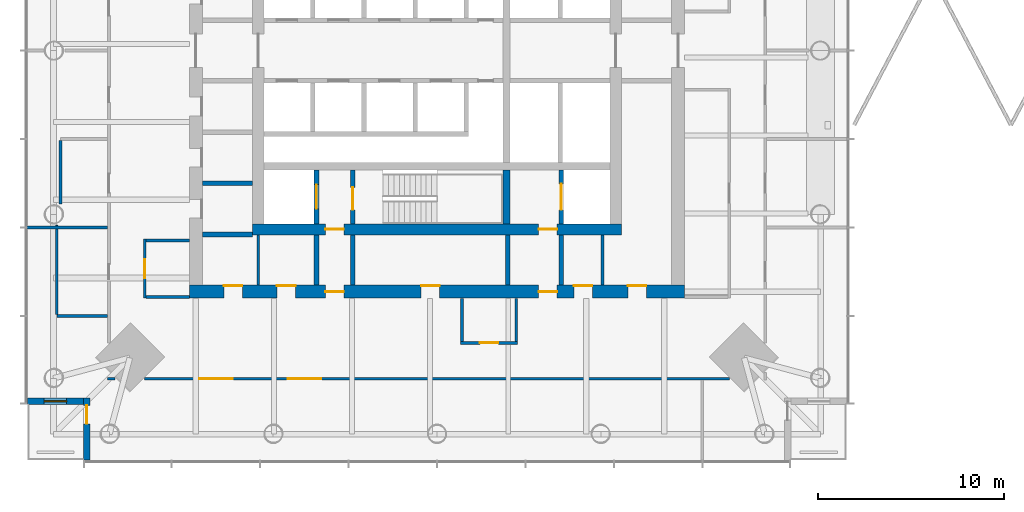
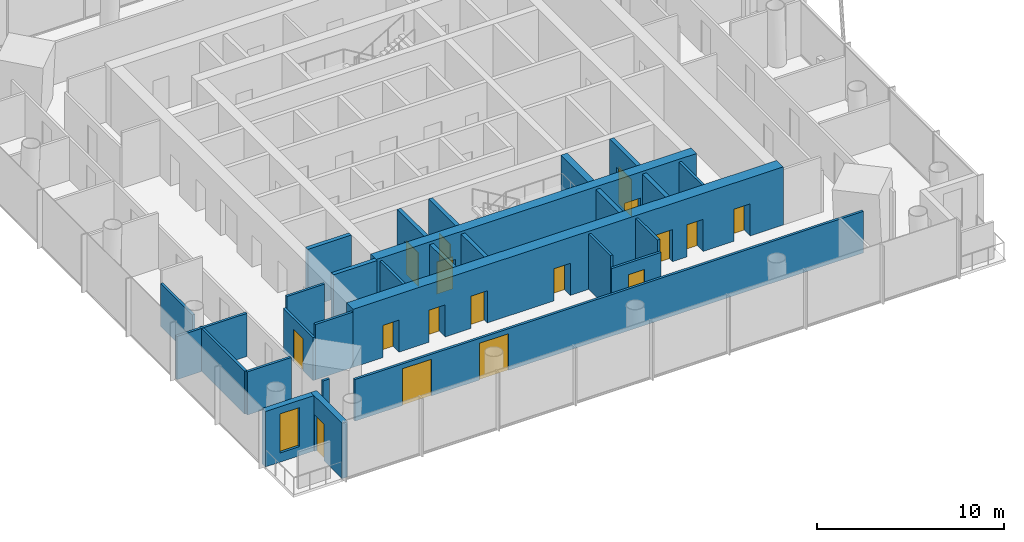
# One storey, part 9 of 19: 28 walls, 17 doors, 1 window, 18 openings.
"""IFC4 building model written with IfcOpenShell, lengths in metres."""

from ifc_helpers import new_model, si_unit, direction, frame, frame_2d, origin, place, context, subcontext, project, spatial, rectangle, extrude, material, layer, layer_set, type_object, element, fill, save


model = new_model("IFC4")

# Units and contexts
model_context = context("Model", 3, precision=1e-05, world=origin(), true_north=direction((0.0, 1.0)))
body_context = subcontext(model_context, "Body", "Model", "MODEL_VIEW")
ifc_project = project(units=[si_unit("LENGTHUNIT", "METRE"), si_unit("AREAUNIT", "SQUARE_METRE"), si_unit("VOLUMEUNIT", "CUBIC_METRE"), si_unit("PLANEANGLEUNIT", "RADIAN"), si_unit("MASSUNIT", "GRAM", prefix="KILO")], contexts=[model_context])

# Site, building, storey
site_placement = place(None, origin())
site = spatial("IfcSite", under=ifc_project, at=site_placement, CompositionType="ELEMENT")
building_placement = place(site_placement, origin())
building = spatial("IfcBuilding", under=site, at=building_placement, Name="Ostroluk Exchange", CompositionType="ELEMENT")
storey_placement = place(building_placement, frame((0.0, 0.0, 127.39990234375)))
storey = spatial("IfcBuildingStorey", under=building, at=storey_placement, Name="L32", CompositionType="ELEMENT", Elevation=127.39990234375)

# Walls
ifc_material_1 = material(Name="Concrete blockwork", Category="masonry")
ifc_layer_1 = layer(ifc_material_1, 0.14990234375)
ifc_layer_set_1 = layer_set([ifc_layer_1], Name="Blockwork plant room wall 150")
wall_type_1 = type_object("IfcWallType", Name="Blockwork plant room wall 150", PredefinedType="SOLIDWALL", material=ifc_layer_set_1)
for number, where, z_axis, x_axis, name in (
    (1, (35.39990234375, 33.39990234375, 0.0), (0.0, 0.0, 1.0), (0.0, 1.0, 0.0), "Core room wall"),
    (2, (53.887939453125, 33.39990234375, 0.0), (0.0, 0.0, 1.0), (0.0, 1.0, 0.0), "Core room wall"),
):
    element("IfcWall", number, at=place(storey_placement, frame(where, z_axis=z_axis, x_axis=x_axis)), inside=storey, type_object=wall_type_1, Name=name, PredefinedType="SOLIDWALL", context=body_context, shape_type="SweptSolid", body=[
        extrude(rectangle(XDim=2.7001953125, YDim=0.14990234375, at=frame_2d((1.35009765625, 0.0))), origin(), (0.0, 0.0, 1.0), 3.6201171875),
    ])
ifc_material_2 = material(Name="Concrete blockwork", Category="masonry")
ifc_layer_2 = layer(ifc_material_2, 0.25)
ifc_layer_set_2 = layer_set([ifc_layer_2], Name="Blockwork stair enclosure wall 250")
wall_type_2 = type_object("IfcWallType", Name="Blockwork stair enclosure wall 250", PredefinedType="SOLIDWALL", material=ifc_layer_set_2)
for number, where, z_axis, x_axis, name in (
    (3, (38.52490234375, 33.39990234375, 0.0), (0.0, 0.0, 1.0), (0.0, 1.0, 0.0), "Fire lobby enclosure wall"),
    (4, (40.47509765625, 33.39990234375, 0.0), (0.0, 0.0, 1.0), (0.0, 1.0, 0.0), "Fire lobby enclosure wall"),
    (5, (48.804931640625, 33.39990234375, 0.0), (0.0, 0.0, 1.0), (0.0, 1.0, 0.0), "Service lobby enclosure wall"),
    (6, (51.675048828125, 33.39990234375, 0.0), (0.0, 0.0, 1.0), (0.0, 1.0, 0.0), "Service lobby enclosure wall"),
):
    element("IfcWall", number, at=place(storey_placement, frame(where, z_axis=z_axis, x_axis=x_axis)), inside=storey, type_object=wall_type_2, Name=name, PredefinedType="SOLIDWALL", context=body_context, shape_type="SweptSolid", body=[
        extrude(rectangle(XDim=2.7001953125, YDim=0.25, at=frame_2d((1.35009765625, 0.0))), origin(), (0.0, 0.0, 1.0), 3.6201171875),
    ])
ifc_material_3 = material(Name="Concrete C50/60", Category="concrete")
ifc_layer_3 = layer(ifc_material_3, 0.39990234375)
ifc_layer_set_3 = layer_set([ifc_layer_3], Name="Core cross wall 400 C50/60")
wall_type_3 = type_object("IfcWallType", Name="Core cross wall 400 C50/60", PredefinedType="SHEAR", material=ifc_layer_set_3)
wall_1_placement = place(storey_placement, frame((48.72998046875, 36.699951171875, 0.0), z_axis=(0.0, 0.0, 1.0), x_axis=(0.0, 1.0, 0.0)))
element("IfcWall", 7, at=wall_1_placement, inside=storey, type_object=wall_type_3, Name="T1 core wall YE1", PredefinedType="SHEAR", context=body_context, shape_type="SweptSolid", body=[
    extrude(rectangle(XDim=2.900146484375, YDim=0.39990234375, at=frame_2d((1.4501953125, 0.0))), origin(), (0.0, 0.0, 1.0), 3.800048828125),
])

# Wall, opening, door
ifc_material_4 = material(Name="Concrete C40/50", Category="concrete")
ifc_layer_4 = layer(ifc_material_4, 0.25)
ifc_layer_set_4 = layer_set([ifc_layer_4], Name="Core shaft wall 250")
wall_type_4 = type_object("IfcWallType", Name="Core shaft wall 250", PredefinedType="SHEAR", material=ifc_layer_set_4)
wall_2_placement = place(storey_placement, frame((38.52490234375, 36.699951171875, 0.0), z_axis=(0.0, 0.0, 1.0), x_axis=(0.0, 1.0, 0.0)))
wall_2 = element("IfcWall", 8, at=wall_2_placement, inside=storey, type_object=wall_type_4, Name="Firefighting lift shaft wall", PredefinedType="SHEAR", context=body_context, shape_type="SweptSolid", body=[
    extrude(rectangle(XDim=2.900146484375, YDim=0.25, at=frame_2d((1.4501953125, 0.0))), origin(), (0.0, 0.0, 1.0), 3.800048828125),
])
opening_1_placement = place(wall_2_placement, frame((0.800048828125, 0.0, 0.0)))
opening_1 = element("IfcOpeningElement", 9, at=opening_1_placement, cuts=wall_2, Name="Opening LD2", PredefinedType="OPENING", context=body_context, shape_type="SweptSolid", body=[
    extrude(rectangle(XDim=1.300048828125, YDim=2.199951171875, at=frame_2d((0.64990234375, 1.10009765625))), frame((0.0, 0.135009765625, 0.0), z_axis=(0.0, -1.0, 0.0), x_axis=(1.0, 0.0, 0.0)), (0.0, 0.0, 1.0), 0.27001953125),
])
ifc_material_5 = material(Name="Stainless steel", Category="steel")
door_type_1 = type_object("IfcDoorType", Name="Lift landing door E 60 1300 x 2200", OperationType="DOUBLE_DOOR_SLIDING", PredefinedType="DOOR", material=ifc_material_5)
door_1_placement = place(opening_1_placement, origin())
door_1 = element("IfcDoor", 10, at=door_1_placement, inside=storey, type_object=door_type_1, Name="Lift FL1 landing door", OperationType="DOUBLE_DOOR_SLIDING", OverallHeight=2.199951171875, OverallWidth=1.300048828125, PredefinedType="DOOR", context=body_context, shape_type="SweptSolid", body=[
    extrude(rectangle(XDim=1.300048828125, YDim=2.199951171875, at=frame_2d((0.64990234375, 1.10009765625))), frame((0.0, 0.02490234375, 0.0), z_axis=(0.0, -1.0, 0.0), x_axis=(1.0, 0.0, 0.0)), (0.0, 0.0, 1.0), 0.050048828125),
])
fill(opening_1, door_1)

wall_3_placement = place(storey_placement, frame((40.47509765625, 36.699951171875, 0.0), z_axis=(0.0, 0.0, 1.0), x_axis=(0.0, 1.0, 0.0)))
wall_3 = element("IfcWall", 11, at=wall_3_placement, inside=storey, type_object=wall_type_4, Name="Stair shaft wall", PredefinedType="SHEAR", context=body_context, shape_type="SweptSolid", body=[
    extrude(rectangle(XDim=2.900146484375, YDim=0.25, at=frame_2d((1.4501953125, 0.0))), origin(), (0.0, 0.0, 1.0), 3.800048828125),
])
opening_2_placement = place(wall_3_placement, frame((0.75, 0.0, 0.0)))
opening_2 = element("IfcOpeningElement", 12, at=opening_2_placement, cuts=wall_3, Name="Opening FD60S", PredefinedType="OPENING", context=body_context, shape_type="SweptSolid", body=[
    extrude(rectangle(XDim=1.199951171875, YDim=2.10009765625, at=frame_2d((0.60009765625, 1.050048828125))), frame((0.0, 0.135009765625, 0.0), z_axis=(0.0, -1.0, 0.0), x_axis=(1.0, 0.0, 0.0)), (0.0, 0.0, 1.0), 0.27001953125),
])
ifc_material_6 = material(Name="Steel", Category="steel")
door_type_2 = type_object("IfcDoorType", Name="Stair door EI 60 1200 x 2100", OperationType="SINGLE_SWING_LEFT", PredefinedType="DOOR", material=ifc_material_6)
door_2_placement = place(opening_2_placement, origin())
door_2 = element("IfcDoor", 13, at=door_2_placement, inside=storey, type_object=door_type_2, Name="Stair T1-S1 door", OperationType="SINGLE_SWING_LEFT", OverallHeight=2.10009765625, OverallWidth=1.199951171875, PredefinedType="DOOR", context=body_context, shape_type="SweptSolid", body=[
    extrude(rectangle(XDim=1.199951171875, YDim=2.10009765625, at=frame_2d((0.60009765625, 1.050048828125))), frame((0.0, 0.02490234375, 0.0), z_axis=(0.0, -1.0, 0.0), x_axis=(1.0, 0.0, 0.0)), (0.0, 0.0, 1.0), 0.050048828125),
])
fill(opening_2, door_2)

wall_4_placement = place(storey_placement, frame((51.675048828125, 36.699951171875, 0.0), z_axis=(0.0, 0.0, 1.0), x_axis=(0.0, 1.0, 0.0)))
wall_4 = element("IfcWall", 14, at=wall_4_placement, inside=storey, type_object=wall_type_4, Name="Service lift shaft wall", PredefinedType="SHEAR", context=body_context, shape_type="SweptSolid", body=[
    extrude(rectangle(XDim=2.900146484375, YDim=0.25, at=frame_2d((1.4501953125, 0.0))), origin(), (0.0, 0.0, 1.0), 3.800048828125),
])
opening_3_placement = place(wall_4_placement, frame((0.75, 0.0, 0.0)))
opening_3 = element("IfcOpeningElement", 15, at=opening_3_placement, cuts=wall_4, Name="Opening LD3", PredefinedType="OPENING", context=body_context, shape_type="SweptSolid", body=[
    extrude(rectangle(XDim=1.39990234375, YDim=2.39990234375, at=frame_2d((0.699951171875, 1.199951171875))), frame((0.0, 0.135009765625, 0.0), z_axis=(0.0, -1.0, 0.0), x_axis=(1.0, 0.0, 0.0)), (0.0, 0.0, 1.0), 0.27001953125),
])
ifc_material_7 = material(Name="Stainless steel", Category="steel")
door_type_3 = type_object("IfcDoorType", Name="Goods lift landing door E 60 1400 x 2400", OperationType="DOUBLE_DOOR_SLIDING", PredefinedType="DOOR", material=ifc_material_7)
door_3_placement = place(opening_3_placement, origin())
door_3 = element("IfcDoor", 16, at=door_3_placement, inside=storey, type_object=door_type_3, Name="Lift SL1 landing door", OperationType="DOUBLE_DOOR_SLIDING", OverallHeight=2.39990234375, OverallWidth=1.39990234375, PredefinedType="DOOR", context=body_context, shape_type="SweptSolid", body=[
    extrude(rectangle(XDim=1.39990234375, YDim=2.39990234375, at=frame_2d((0.699951171875, 1.199951171875))), frame((0.0, 0.02490234375, 0.0), z_axis=(0.0, -1.0, 0.0), x_axis=(1.0, 0.0, 0.0)), (0.0, 0.0, 1.0), 0.050048828125),
])
fill(opening_3, door_3)

# Walls
for number, where, z_axis, x_axis, name in (
    (17, (32.39990234375, 36.125, 0.0), (0.0, 0.0, 1.0), (1.0, 0.0, 0.0), "Lift shaft wall"),
    (18, (32.39990234375, 38.875, 0.0), (0.0, 0.0, 1.0), (1.0, 0.0, 0.0), "Lift shaft wall"),
):
    element("IfcWall", number, at=place(storey_placement, frame(where, z_axis=z_axis, x_axis=x_axis)), inside=storey, type_object=wall_type_4, Name=name, PredefinedType="SHEAR", context=body_context, shape_type="SweptSolid", body=[
        extrude(rectangle(XDim=2.7001953125, YDim=0.25, at=frame_2d((1.35009765625, 0.0))), origin(), (0.0, 0.0, 1.0), 3.800048828125),
    ])

# Wall, openings, doors
ifc_material_8 = material(Name="Concrete C50/60", Category="concrete")
ifc_layer_5 = layer(ifc_material_8, 0.60009765625)
ifc_layer_set_5 = layer_set([ifc_layer_5], Name="Core wall 600 C50/60")
wall_type_5 = type_object("IfcWallType", Name="Core wall 600 C50/60", PredefinedType="SHEAR", material=ifc_layer_set_5)
wall_5_placement = place(storey_placement, frame((35.10009765625, 36.39990234375, 0.0), z_axis=(0.0, 0.0, 1.0), x_axis=(1.0, 0.0, 0.0)))
wall_5 = element("IfcWall", 19, at=wall_5_placement, inside=storey, type_object=wall_type_5, Name="T1 core wall S", PredefinedType="SHEAR", context=body_context, shape_type="SweptSolid", body=[
    extrude(rectangle(XDim=19.7998046875, YDim=0.60009765625, at=frame_2d((9.89990234375, 0.0))), origin(), (0.0, 0.0, 1.0), 3.800048828125),
])
opening_4_placement = place(wall_5_placement, frame((3.89990234375, 0.0, 0.0)))
opening_4 = element("IfcOpeningElement", 20, at=opening_4_placement, cuts=wall_5, Name="Opening FD60", PredefinedType="OPENING", context=body_context, shape_type="SweptSolid", body=[
    extrude(rectangle(XDim=1.0, YDim=2.10009765625, at=frame_2d((0.5, 1.050048828125))), frame((0.0, 0.31005859375, 0.0), z_axis=(0.0, -1.0, 0.0), x_axis=(1.0, 0.0, 0.0)), (0.0, 0.0, 1.0), 0.6201171875),
])
opening_5_placement = place(wall_5_placement, frame((15.35009765625, 0.0, 0.0)))
opening_5 = element("IfcOpeningElement", 21, at=opening_5_placement, cuts=wall_5, Name="Opening FD60", PredefinedType="OPENING", context=body_context, shape_type="SweptSolid", body=[
    extrude(rectangle(XDim=1.0, YDim=2.10009765625, at=frame_2d((0.5, 1.050048828125))), frame((0.0, 0.31005859375, 0.0), z_axis=(0.0, -1.0, 0.0), x_axis=(1.0, 0.0, 0.0)), (0.0, 0.0, 1.0), 0.6201171875),
])
ifc_material_9 = material(Name="Steel", Category="steel")
door_type_4 = type_object("IfcDoorType", Name="Fire door EI 60 1000 x 2100", OperationType="SINGLE_SWING_LEFT", PredefinedType="DOOR", material=ifc_material_9)
door_4_placement = place(opening_4_placement, origin())
door_4 = element("IfcDoor", 22, at=door_4_placement, inside=storey, type_object=door_type_4, Name="Firefighting lobby door", OperationType="SINGLE_SWING_LEFT", OverallHeight=2.10009765625, OverallWidth=1.0, PredefinedType="DOOR", context=body_context, shape_type="SweptSolid", body=[
    extrude(rectangle(XDim=1.0, YDim=2.10009765625, at=frame_2d((0.5, 1.050048828125))), frame((0.0, 0.02490234375, 0.0), z_axis=(0.0, -1.0, 0.0), x_axis=(1.0, 0.0, 0.0)), (0.0, 0.0, 1.0), 0.050048828125),
])
fill(opening_4, door_4)
door_5_placement = place(opening_5_placement, origin())
door_5 = element("IfcDoor", 23, at=door_5_placement, inside=storey, type_object=door_type_4, Name="Service lobby door", OperationType="SINGLE_SWING_RIGHT", OverallHeight=2.10009765625, OverallWidth=1.0, PredefinedType="DOOR", context=body_context, shape_type="SweptSolid", body=[
    extrude(rectangle(XDim=1.0, YDim=2.10009765625, at=frame_2d((0.5, 1.050048828125))), frame((0.0, 0.02490234375, 0.0), z_axis=(0.0, -1.0, 0.0), x_axis=(1.0, 0.0, 0.0)), (0.0, 0.0, 1.0), 0.050048828125),
])
fill(opening_5, door_5)

ifc_material_10 = material(Name="Concrete C50/60", Category="concrete")
ifc_layer_6 = layer(ifc_material_10, 0.699951171875)
ifc_layer_set_6 = layer_set([ifc_layer_6], Name="Core wall 700 C50/60")
wall_type_6 = type_object("IfcWallType", Name="Core wall 700 C50/60", PredefinedType="SHEAR", material=ifc_layer_set_6)
wall_6_placement = place(storey_placement, frame((31.699951171875, 33.050048828125, 0.0), z_axis=(0.0, 0.0, 1.0), x_axis=(1.0, 0.0, 0.0)))
wall_6 = element("IfcWall", 24, at=wall_6_placement, inside=storey, type_object=wall_type_6, Name="T1 core wall RS", PredefinedType="SHEAR", context=body_context, shape_type="SweptSolid", body=[
    extrude(rectangle(XDim=26.60009765625, YDim=0.699951171875, at=frame_2d((13.300048828125, 0.0))), origin(), (0.0, 0.0, 1.0), 3.800048828125),
])
opening_6_placement = place(wall_6_placement, frame((7.300048828125, 0.0, 0.0)))
opening_6 = element("IfcOpeningElement", 25, at=opening_6_placement, cuts=wall_6, Name="Opening FD60", PredefinedType="OPENING", context=body_context, shape_type="SweptSolid", body=[
    extrude(rectangle(XDim=1.0, YDim=2.10009765625, at=frame_2d((0.5, 1.050048828125))), frame((0.0, 0.35986328125, 0.0), z_axis=(0.0, -1.0, 0.0), x_axis=(1.0, 0.0, 0.0)), (0.0, 0.0, 1.0), 0.719970703125),
])
opening_7_placement = place(wall_6_placement, frame((18.75, 0.0, 0.0)))
opening_7 = element("IfcOpeningElement", 26, at=opening_7_placement, cuts=wall_6, Name="Opening FD60", PredefinedType="OPENING", context=body_context, shape_type="SweptSolid", body=[
    extrude(rectangle(XDim=1.0, YDim=2.10009765625, at=frame_2d((0.5, 1.050048828125))), frame((0.0, 0.35986328125, 0.0), z_axis=(0.0, -1.0, 0.0), x_axis=(1.0, 0.0, 0.0)), (0.0, 0.0, 1.0), 0.719970703125),
])
opening_8_placement = place(wall_6_placement, frame((1.85009765625, 0.0, 0.0)))
opening_8 = element("IfcOpeningElement", 27, at=opening_8_placement, cuts=wall_6, Name="Opening FD60", PredefinedType="OPENING", context=body_context, shape_type="SweptSolid", body=[
    extrude(rectangle(XDim=1.0, YDim=2.10009765625, at=frame_2d((0.5, 1.050048828125))), frame((0.0, 0.35986328125, 0.0), z_axis=(0.0, -1.0, 0.0), x_axis=(1.0, 0.0, 0.0)), (0.0, 0.0, 1.0), 0.719970703125),
])
opening_9_placement = place(wall_6_placement, frame((4.699951171875, 0.0, 0.0)))
opening_9 = element("IfcOpeningElement", 28, at=opening_9_placement, cuts=wall_6, Name="Opening FD60", PredefinedType="OPENING", context=body_context, shape_type="SweptSolid", body=[
    extrude(rectangle(XDim=1.0, YDim=2.10009765625, at=frame_2d((0.5, 1.050048828125))), frame((0.0, 0.35986328125, 0.0), z_axis=(0.0, -1.0, 0.0), x_axis=(1.0, 0.0, 0.0)), (0.0, 0.0, 1.0), 0.719970703125),
])
opening_10_placement = place(wall_6_placement, frame((12.43994140625, 0.0, 0.0)))
opening_10 = element("IfcOpeningElement", 29, at=opening_10_placement, cuts=wall_6, Name="Opening FD60", PredefinedType="OPENING", context=body_context, shape_type="SweptSolid", body=[
    extrude(rectangle(XDim=1.0, YDim=2.10009765625, at=frame_2d((0.5, 1.050048828125))), frame((0.0, 0.35986328125, 0.0), z_axis=(0.0, -1.0, 0.0), x_axis=(1.0, 0.0, 0.0)), (0.0, 0.0, 1.0), 0.719970703125),
])
opening_11_placement = place(wall_6_placement, frame((20.64404296875, 0.0, 0.0)))
opening_11 = element("IfcOpeningElement", 30, at=opening_11_placement, cuts=wall_6, Name="Opening FD60", PredefinedType="OPENING", context=body_context, shape_type="SweptSolid", body=[
    extrude(rectangle(XDim=1.0, YDim=2.10009765625, at=frame_2d((0.5, 1.050048828125))), frame((0.0, 0.35986328125, 0.0), z_axis=(0.0, -1.0, 0.0), x_axis=(1.0, 0.0, 0.0)), (0.0, 0.0, 1.0), 0.719970703125),
])
opening_12_placement = place(wall_6_placement, frame((23.5439453125, 0.0, 0.0)))
opening_12 = element("IfcOpeningElement", 31, at=opening_12_placement, cuts=wall_6, Name="Opening FD60", PredefinedType="OPENING", context=body_context, shape_type="SweptSolid", body=[
    extrude(rectangle(XDim=1.0, YDim=2.10009765625, at=frame_2d((0.5, 1.050048828125))), frame((0.0, 0.35986328125, 0.0), z_axis=(0.0, -1.0, 0.0), x_axis=(1.0, 0.0, 0.0)), (0.0, 0.0, 1.0), 0.719970703125),
])
door_6_placement = place(opening_6_placement, origin())
door_6 = element("IfcDoor", 32, at=door_6_placement, inside=storey, type_object=door_type_4, Name="Firefighting lobby door", OperationType="SINGLE_SWING_LEFT", OverallHeight=2.10009765625, OverallWidth=1.0, PredefinedType="DOOR", context=body_context, shape_type="SweptSolid", body=[
    extrude(rectangle(XDim=1.0, YDim=2.10009765625, at=frame_2d((0.5, 1.050048828125))), frame((0.0, 0.02490234375, 0.0), z_axis=(0.0, -1.0, 0.0), x_axis=(1.0, 0.0, 0.0)), (0.0, 0.0, 1.0), 0.050048828125),
])
fill(opening_6, door_6)
door_7_placement = place(opening_7_placement, origin())
door_7 = element("IfcDoor", 33, at=door_7_placement, inside=storey, type_object=door_type_4, Name="Service lobby door", OperationType="SINGLE_SWING_RIGHT", OverallHeight=2.10009765625, OverallWidth=1.0, PredefinedType="DOOR", context=body_context, shape_type="SweptSolid", body=[
    extrude(rectangle(XDim=1.0, YDim=2.10009765625, at=frame_2d((0.5, 1.050048828125))), frame((0.0, 0.02490234375, 0.0), z_axis=(0.0, -1.0, 0.0), x_axis=(1.0, 0.0, 0.0)), (0.0, 0.0, 1.0), 0.050048828125),
])
fill(opening_7, door_7)
door_8_placement = place(opening_8_placement, origin())
door_8 = element("IfcDoor", 34, at=door_8_placement, inside=storey, type_object=door_type_4, Name="Archive door", OperationType="SINGLE_SWING_LEFT", OverallHeight=2.10009765625, OverallWidth=1.0, PredefinedType="DOOR", context=body_context, shape_type="SweptSolid", body=[
    extrude(rectangle(XDim=1.0, YDim=2.10009765625, at=frame_2d((0.5, 1.050048828125))), frame((0.0, 0.33984375, 0.0), z_axis=(0.0, -1.0, 0.0), x_axis=(1.0, 0.0, 0.0)), (0.0, 0.0, 1.0), 0.050048828125),
])
fill(opening_8, door_8)
door_9_placement = place(opening_9_placement, origin())
door_9 = element("IfcDoor", 35, at=door_9_placement, inside=storey, type_object=door_type_4, Name="Tenant IT room door", OperationType="SINGLE_SWING_LEFT", OverallHeight=2.10009765625, OverallWidth=1.0, PredefinedType="DOOR", context=body_context, shape_type="SweptSolid", body=[
    extrude(rectangle(XDim=1.0, YDim=2.10009765625, at=frame_2d((0.5, 1.050048828125))), frame((0.0, 0.33984375, 0.0), z_axis=(0.0, -1.0, 0.0), x_axis=(1.0, 0.0, 0.0)), (0.0, 0.0, 1.0), 0.050048828125),
])
fill(opening_9, door_9)
door_10_placement = place(opening_10_placement, origin())
door_10 = element("IfcDoor", 36, at=door_10_placement, inside=storey, type_object=door_type_4, Name="Tea point door", OperationType="SINGLE_SWING_LEFT", OverallHeight=2.10009765625, OverallWidth=1.0, PredefinedType="DOOR", context=body_context, shape_type="SweptSolid", body=[
    extrude(rectangle(XDim=1.0, YDim=2.10009765625, at=frame_2d((0.5, 1.050048828125))), frame((0.0, 0.33984375, 0.0), z_axis=(0.0, -1.0, 0.0), x_axis=(1.0, 0.0, 0.0)), (0.0, 0.0, 1.0), 0.050048828125),
])
fill(opening_10, door_10)
door_11_placement = place(opening_11_placement, origin())
door_11 = element("IfcDoor", 37, at=door_11_placement, inside=storey, type_object=door_type_4, Name="Store door", OperationType="SINGLE_SWING_RIGHT", OverallHeight=2.10009765625, OverallWidth=1.0, PredefinedType="DOOR", context=body_context, shape_type="SweptSolid", body=[
    extrude(rectangle(XDim=1.0, YDim=2.10009765625, at=frame_2d((0.5, 1.050048828125))), frame((0.0, 0.33984375, 0.0), z_axis=(0.0, -1.0, 0.0), x_axis=(1.0, 0.0, 0.0)), (0.0, 0.0, 1.0), 0.050048828125),
])
fill(opening_11, door_11)
door_12_placement = place(opening_12_placement, origin())
door_12 = element("IfcDoor", 38, at=door_12_placement, inside=storey, type_object=door_type_4, Name="First aid room door", OperationType="SINGLE_SWING_RIGHT", OverallHeight=2.10009765625, OverallWidth=1.0, PredefinedType="DOOR", context=body_context, shape_type="SweptSolid", body=[
    extrude(rectangle(XDim=1.0, YDim=2.10009765625, at=frame_2d((0.5, 1.050048828125))), frame((0.0, 0.33984375, 0.0), z_axis=(0.0, -1.0, 0.0), x_axis=(1.0, 0.0, 0.0)), (0.0, 0.0, 1.0), 0.050048828125),
])
fill(opening_12, door_12)

# Wall, opening, door
ifc_material_11 = material(Name="Limestone", Category="masonry")
ifc_layer_7 = layer(ifc_material_11, 0.35009765625)
ifc_layer_set_7 = layer_set([ifc_layer_7], Name="Limestone facade wall 350")
wall_type_7 = type_object("IfcWallType", Name="Limestone facade wall 350", PredefinedType="SOLIDWALL", material=ifc_layer_set_7)
wall_7_placement = place(storey_placement, frame((26.175048828125, 24.0, 0.0), z_axis=(0.0, 0.0, 1.0), x_axis=(0.0, 1.0, 0.0)))
wall_7 = element("IfcWall", 39, at=wall_7_placement, inside=storey, type_object=wall_type_7, Name="Office tower SW corner wall L32 a", PredefinedType="SOLIDWALL", context=body_context, shape_type="SweptSolid", body=[
    extrude(rectangle(XDim=3.35009765625, YDim=0.35009765625, at=frame_2d((1.675048828125, 0.0))), origin(), (0.0, 0.0, 1.0), 3.6201171875),
])
opening_13_placement = place(wall_7_placement, frame((1.949951171875, 0.0, 0.0)))
opening_13 = element("IfcOpeningElement", 40, at=opening_13_placement, cuts=wall_7, Name="Opening D-B1", PredefinedType="OPENING", context=body_context, shape_type="SweptSolid", body=[
    extrude(rectangle(XDim=1.0, YDim=2.39990234375, at=frame_2d((0.5, 1.199951171875))), frame((0.0, 0.18505859375, 0.0), z_axis=(0.0, -1.0, 0.0), x_axis=(1.0, 0.0, 0.0)), (0.0, 0.0, 1.0), 0.3701171875),
])
ifc_material_12 = material(Name="Bronze framed glazed door", Category="aluminium")
door_type_5 = type_object("IfcDoorType", Name="Balcony door 1000 x 2400", OperationType="SINGLE_SWING_LEFT", PredefinedType="DOOR", material=ifc_material_12)
door_13_placement = place(opening_13_placement, origin())
door_13 = element("IfcDoor", 41, at=door_13_placement, inside=storey, type_object=door_type_5, Name="Office tower SW balcony door L32", OperationType="SINGLE_SWING_RIGHT", OverallHeight=2.39990234375, OverallWidth=1.0, PredefinedType="DOOR", context=body_context, shape_type="SweptSolid", body=[
    extrude(rectangle(XDim=1.0, YDim=2.39990234375, at=frame_2d((0.5, 1.199951171875))), frame((0.0, 0.02490234375, 0.0), z_axis=(0.0, -1.0, 0.0), x_axis=(1.0, 0.0, 0.0)), (0.0, 0.0, 1.0), 0.050048828125),
])
fill(opening_13, door_13)

# Wall, opening, window
wall_8_placement = place(storey_placement, frame((26.0, 27.175048828125, 0.0), z_axis=(0.0, 0.0, 1.0), x_axis=(-1.0, 0.0, 0.0)))
wall_8 = element("IfcWall", 42, at=wall_8_placement, inside=storey, type_object=wall_type_7, Name="Office tower SW corner wall L32 b", PredefinedType="SOLIDWALL", context=body_context, shape_type="SweptSolid", body=[
    extrude(rectangle(XDim=3.0, YDim=0.35009765625, at=frame_2d((1.5, 0.0))), origin(), (0.0, 0.0, 1.0), 3.6201171875),
])
opening_14_placement = place(wall_8_placement, frame((0.89990234375, 0.0, 0.60009765625)))
opening_14 = element("IfcOpeningElement", 43, at=opening_14_placement, cuts=wall_8, Name="Opening WN-L1", PredefinedType="OPENING", context=body_context, shape_type="SweptSolid", body=[
    extrude(rectangle(XDim=1.199951171875, YDim=2.550048828125, at=frame_2d((0.60009765625, 1.27490234375))), frame((0.0, 0.18505859375, 0.0), z_axis=(0.0, -1.0, 0.0), x_axis=(1.0, 0.0, 0.0)), (0.0, 0.0, 1.0), 0.3701171875),
])
ifc_material_13 = material(Name="Laminated clear glass", Category="glass")
window_type = type_object("IfcWindowType", Name="Lancet window 1200 x 2550", PartitioningType="SINGLE_PANEL", PredefinedType="WINDOW", material=ifc_material_13)
window_placement = place(opening_14_placement, origin())
window = element("IfcWindow", 44, at=window_placement, inside=storey, type_object=window_type, Name="Office tower SW lancet window L32", OverallHeight=2.550048828125, OverallWidth=1.199951171875, PartitioningType="SINGLE_PANEL", PredefinedType="WINDOW", context=body_context, shape_type="SweptSolid", body=[
    extrude(rectangle(XDim=1.199951171875, YDim=2.550048828125, at=frame_2d((0.60009765625, 1.27490234375))), frame((0.0, 0.030029296875, 0.0), z_axis=(0.0, -1.0, 0.0), x_axis=(1.0, 0.0, 0.0)), (0.0, 0.0, 1.0), 0.06005859375),
])
fill(opening_14, window)

# Wall, opening, door
ifc_material_14 = material(Name="Gypsum plasterboard partition", Category="gypsum")
ifc_layer_8 = layer(ifc_material_14, 0.14990234375)
ifc_layer_set_8 = layer_set([ifc_layer_8], Name="Plasterboard partition 150")
wall_type_8 = type_object("IfcWallType", Name="Plasterboard partition 150", PredefinedType="PARTITIONING", material=ifc_layer_set_8)
wall_9_placement = place(storey_placement, frame((29.300048828125, 35.875, 0.0), z_axis=(0.0, 0.0, 1.0), x_axis=(0.0, -1.0, 0.0)))
wall_9 = element("IfcWall", 45, at=wall_9_placement, inside=storey, type_object=wall_type_8, Name="Partition", PredefinedType="PARTITIONING", context=body_context, shape_type="SweptSolid", body=[
    extrude(rectangle(XDim=3.175048828125, YDim=0.14990234375, at=frame_2d((1.58740234375, 0.0))), origin(), (0.0, 0.0, 1.0), 2.80615234375),
])
opening_15_placement = place(wall_9_placement, frame((1.08740234375, 0.0, 0.0)))
opening_15 = element("IfcOpeningElement", 46, at=opening_15_placement, cuts=wall_9, Name="Opening D-03", PredefinedType="OPENING", context=body_context, shape_type="SweptSolid", body=[
    extrude(rectangle(XDim=1.0, YDim=2.10009765625, at=frame_2d((0.5, 1.050048828125))), frame((0.0, 0.0849609375, 0.0), z_axis=(0.0, -1.0, 0.0), x_axis=(1.0, 0.0, 0.0)), (0.0, 0.0, 1.0), 0.169921875),
])
ifc_material_15 = material(Name="Timber", Category="wood")
door_type_6 = type_object("IfcDoorType", Name="Internal door 1000 x 2100", OperationType="SINGLE_SWING_LEFT", PredefinedType="DOOR", material=ifc_material_15)
door_14_placement = place(opening_15_placement, origin())
door_14 = element("IfcDoor", 47, at=door_14_placement, inside=storey, type_object=door_type_6, Name="Project room door", OperationType="SINGLE_SWING_RIGHT", OverallHeight=2.10009765625, OverallWidth=1.0, PredefinedType="DOOR", context=body_context, shape_type="SweptSolid", body=[
    extrude(rectangle(XDim=1.0, YDim=2.10009765625, at=frame_2d((0.5, 1.050048828125))), frame((0.0, 0.02490234375, 0.0), z_axis=(0.0, -1.0, 0.0), x_axis=(1.0, 0.0, 0.0)), (0.0, 0.0, 1.0), 0.050048828125),
])
fill(opening_15, door_14)

# Walls
for number, where, z_axis, x_axis, name in (
    (48, (31.699951171875, 35.800048828125, 0.0), (0.0, 0.0, 1.0), (-1.0, 0.0, 0.0), "Partition"),
    (49, (31.699951171875, 32.77490234375, 0.0), (0.0, 0.0, 1.0), (-1.0, 0.0, 0.0), "Partition"),
):
    element("IfcWall", number, at=place(storey_placement, frame(where, z_axis=z_axis, x_axis=x_axis)), inside=storey, type_object=wall_type_8, Name=name, PredefinedType="PARTITIONING", context=body_context, shape_type="SweptSolid", body=[
        extrude(rectangle(XDim=2.324951171875, YDim=0.14990234375, at=frame_2d((1.16259765625, 0.0))), origin(), (0.0, 0.0, 1.0), 3.6201171875),
    ])

# Wall, opening, door
wall_10_placement = place(storey_placement, frame((46.264892578125, 30.300048828125, 0.0), z_axis=(0.0, 0.0, 1.0), x_axis=(1.0, 0.0, 0.0)))
wall_10 = element("IfcWall", 50, at=wall_10_placement, inside=storey, type_object=wall_type_8, Name="Partition", PredefinedType="PARTITIONING", context=body_context, shape_type="SweptSolid", body=[
    extrude(rectangle(XDim=3.06005859375, YDim=0.14990234375, at=frame_2d((1.530029296875, 0.0))), origin(), (0.0, 0.0, 1.0), 2.858154296875),
])
opening_16_placement = place(wall_10_placement, frame((1.030029296875, 0.0, 0.0)))
opening_16 = element("IfcOpeningElement", 51, at=opening_16_placement, cuts=wall_10, Name="Opening D-03", PredefinedType="OPENING", context=body_context, shape_type="SweptSolid", body=[
    extrude(rectangle(XDim=1.0, YDim=2.10009765625, at=frame_2d((0.5, 1.050048828125))), frame((0.0, 0.0849609375, 0.0), z_axis=(0.0, -1.0, 0.0), x_axis=(1.0, 0.0, 0.0)), (0.0, 0.0, 1.0), 0.169921875),
])
door_15_placement = place(opening_16_placement, origin())
door_15 = element("IfcDoor", 52, at=door_15_placement, inside=storey, type_object=door_type_6, Name="Staff room door", OperationType="SINGLE_SWING_LEFT", OverallHeight=2.10009765625, OverallWidth=1.0, PredefinedType="DOOR", context=body_context, shape_type="SweptSolid", body=[
    extrude(rectangle(XDim=1.0, YDim=2.10009765625, at=frame_2d((0.5, 1.050048828125))), frame((0.0, 0.02490234375, 0.0), z_axis=(0.0, -1.0, 0.0), x_axis=(1.0, 0.0, 0.0)), (0.0, 0.0, 1.0), 0.050048828125),
])
fill(opening_16, door_15)

# Walls
for number, where, z_axis, x_axis, name in (
    (53, (46.340087890625, 32.699951171875, 0.0), (0.0, 0.0, 1.0), (0.0, -1.0, 0.0), "Partition"),
    (54, (49.25, 32.699951171875, 0.0), (0.0, 0.0, 1.0), (0.0, -1.0, 0.0), "Partition"),
):
    element("IfcWall", number, at=place(storey_placement, frame(where, z_axis=z_axis, x_axis=x_axis)), inside=storey, type_object=wall_type_8, Name=name, PredefinedType="PARTITIONING", context=body_context, shape_type="SweptSolid", body=[
        extrude(rectangle(XDim=2.324951171875, YDim=0.14990234375, at=frame_2d((1.16259765625, 0.0))), origin(), (0.0, 0.0, 1.0), 3.6201171875),
    ])
wall_11_placement = place(storey_placement, frame((27.300048828125, 36.5, 0.0), z_axis=(0.0, 0.0, 1.0), x_axis=(-1.0, 0.0, 0.0)))
element("IfcWall", 55, at=wall_11_placement, inside=storey, type_object=wall_type_8, Name="Partition", PredefinedType="PARTITIONING", context=body_context, shape_type="SweptSolid", body=[
    extrude(rectangle(XDim=4.340087890625, YDim=0.14990234375, at=frame_2d((2.169921875, 0.0))), origin(), (0.0, 0.0, 1.0), 2.820068359375),
])
wall_12_placement = place(storey_placement, frame((27.300048828125, 31.75, 0.0), z_axis=(0.0, 0.0, 1.0), x_axis=(-1.0, 0.0, 0.0)))
element("IfcWall", 56, at=wall_12_placement, inside=storey, type_object=wall_type_8, Name="Partition", PredefinedType="PARTITIONING", context=body_context, shape_type="SweptSolid", body=[
    extrude(rectangle(XDim=2.72509765625, YDim=0.14990234375, at=frame_2d((1.362548828125, 0.0))), origin(), (0.0, 0.0, 1.0), 2.820068359375),
])
wall_13_placement = place(storey_placement, frame((27.300048828125, 28.375, 0.0), z_axis=(0.0, 0.0, 1.0), x_axis=(1.0, 0.0, 0.0)))
element("IfcWall", 57, at=wall_13_placement, inside=storey, type_object=wall_type_8, Name="Partition", PredefinedType="PARTITIONING", context=body_context, shape_type="SweptSolid", body=[
    extrude(rectangle(XDim=0.411376953125, YDim=0.14990234375, at=frame_2d((0.20556640625, 0.0))), origin(), (0.0, 0.0, 1.0), 3.320068359375),
])

# Wall, openings, doors
wall_14_placement = place(storey_placement, frame((29.28857421875, 28.375, 0.0), z_axis=(0.0, 0.0, 1.0), x_axis=(1.0, 0.0, 0.0)))
wall_14 = element("IfcWall", 58, at=wall_14_placement, inside=storey, type_object=wall_type_8, Name="Partition", PredefinedType="PARTITIONING", context=body_context, shape_type="SweptSolid", body=[
    extrude(rectangle(XDim=31.4228515625, YDim=0.14990234375, at=frame_2d((15.71142578125, 0.0))), origin(), (0.0, 0.0, 1.0), 2.72021484375),
])
opening_17_placement = place(wall_14_placement, frame((2.9365234375, 0.0, 0.0)))
opening_17 = element("IfcOpeningElement", 59, at=opening_17_placement, cuts=wall_14, Name="Opening D-04", PredefinedType="OPENING", context=body_context, shape_type="SweptSolid", body=[
    extrude(rectangle(XDim=1.800048828125, YDim=2.39990234375, at=frame_2d((0.89990234375, 1.199951171875))), frame((0.0, 0.0849609375, 0.0), z_axis=(0.0, -1.0, 0.0), x_axis=(1.0, 0.0, 0.0)), (0.0, 0.0, 1.0), 0.169921875),
])
opening_18_placement = place(wall_14_placement, frame((7.6865234375, 0.0, 0.0)))
opening_18 = element("IfcOpeningElement", 60, at=opening_18_placement, cuts=wall_14, Name="Opening D-04", PredefinedType="OPENING", context=body_context, shape_type="SweptSolid", body=[
    extrude(rectangle(XDim=1.800048828125, YDim=2.39990234375, at=frame_2d((0.89990234375, 1.199951171875))), frame((0.0, 0.0849609375, 0.0), z_axis=(0.0, -1.0, 0.0), x_axis=(1.0, 0.0, 0.0)), (0.0, 0.0, 1.0), 0.169921875),
])
ifc_material_16 = material(Name="Timber", Category="wood")
door_type_7 = type_object("IfcDoorType", Name="Double door 1800 x 2400", OperationType="DOUBLE_DOOR_SINGLE_SWING", PredefinedType="DOOR", material=ifc_material_16)
door_16_placement = place(opening_17_placement, origin())
door_16 = element("IfcDoor", 61, at=door_16_placement, inside=storey, type_object=door_type_7, Name="Open plan office door", OperationType="DOUBLE_DOOR_SINGLE_SWING", OverallHeight=2.39990234375, OverallWidth=1.800048828125, PredefinedType="DOOR", context=body_context, shape_type="SweptSolid", body=[
    extrude(rectangle(XDim=1.800048828125, YDim=2.39990234375, at=frame_2d((0.89990234375, 1.199951171875))), frame((0.0, 0.02490234375, 0.0), z_axis=(0.0, -1.0, 0.0), x_axis=(1.0, 0.0, 0.0)), (0.0, 0.0, 1.0), 0.050048828125),
])
fill(opening_17, door_16)
door_17_placement = place(opening_18_placement, origin())
door_17 = element("IfcDoor", 62, at=door_17_placement, inside=storey, type_object=door_type_7, Name="Open plan office door", OperationType="DOUBLE_DOOR_SINGLE_SWING", OverallHeight=2.39990234375, OverallWidth=1.800048828125, PredefinedType="DOOR", context=body_context, shape_type="SweptSolid", body=[
    extrude(rectangle(XDim=1.800048828125, YDim=2.39990234375, at=frame_2d((0.89990234375, 1.199951171875))), frame((0.0, 0.02490234375, 0.0), z_axis=(0.0, -1.0, 0.0), x_axis=(1.0, 0.0, 0.0)), (0.0, 0.0, 1.0), 0.050048828125),
])
fill(opening_18, door_17)

# Walls
ifc_material_17 = material(Name="Gypsum plasterboard partition, moisture resistant", Category="gypsum")
ifc_layer_9 = layer(ifc_material_17, 0.14990234375)
ifc_layer_set_9 = layer_set([ifc_layer_9], Name="Plasterboard toilet partition 150")
wall_type_9 = type_object("IfcWallType", Name="Plasterboard toilet partition 150", PredefinedType="PARTITIONING", material=ifc_layer_set_9)
wall_15_placement = place(storey_placement, frame((24.77490234375, 41.175048828125, 0.0), z_axis=(0.0, 0.0, 1.0), x_axis=(0.0, -1.0, 0.0)))
element("IfcWall", 63, at=wall_15_placement, inside=storey, type_object=wall_type_9, Name="Toilet partition", PredefinedType="PARTITIONING", context=body_context, shape_type="SweptSolid", body=[
    extrude(rectangle(XDim=3.40625, YDim=0.14990234375, at=frame_2d((1.703125, 0.0))), origin(), (0.0, 0.0, 1.0), 2.80615234375),
])
wall_16_placement = place(storey_placement, frame((24.574951171875, 36.64501953125, 0.0), z_axis=(0.0, 0.0, 1.0), x_axis=(0.0, -1.0, 0.0)))
element("IfcWall", 64, at=wall_16_placement, inside=storey, type_object=wall_type_9, Name="Toilet partition", PredefinedType="PARTITIONING", context=body_context, shape_type="SweptSolid", body=[
    extrude(rectangle(XDim=4.820068359375, YDim=0.14990234375, at=frame_2d((2.41015625, 0.0))), origin(), (0.0, 0.0, 1.0), 2.80615234375),
])

save(model, "model.ifc")
